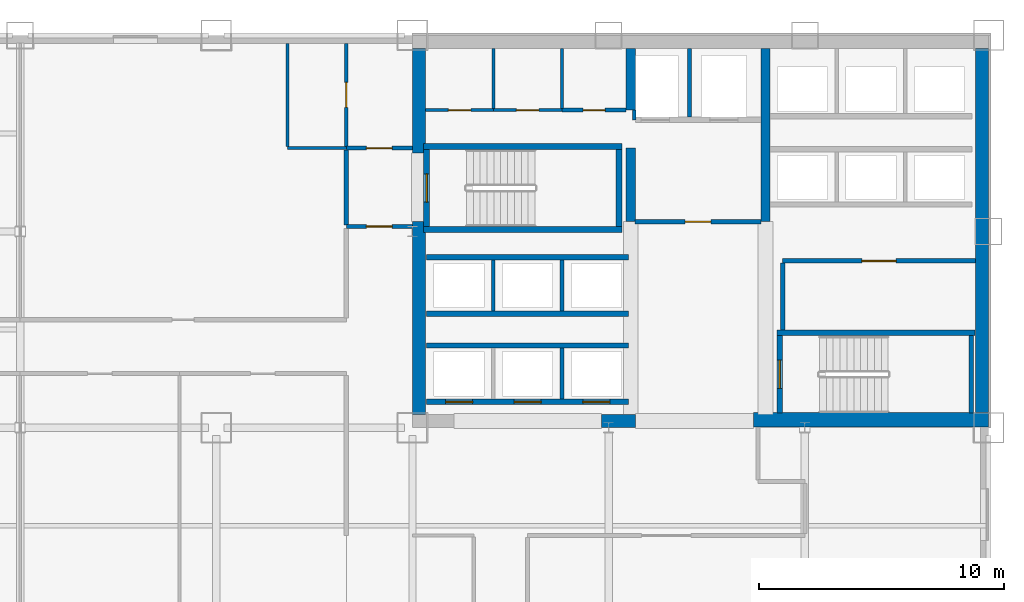
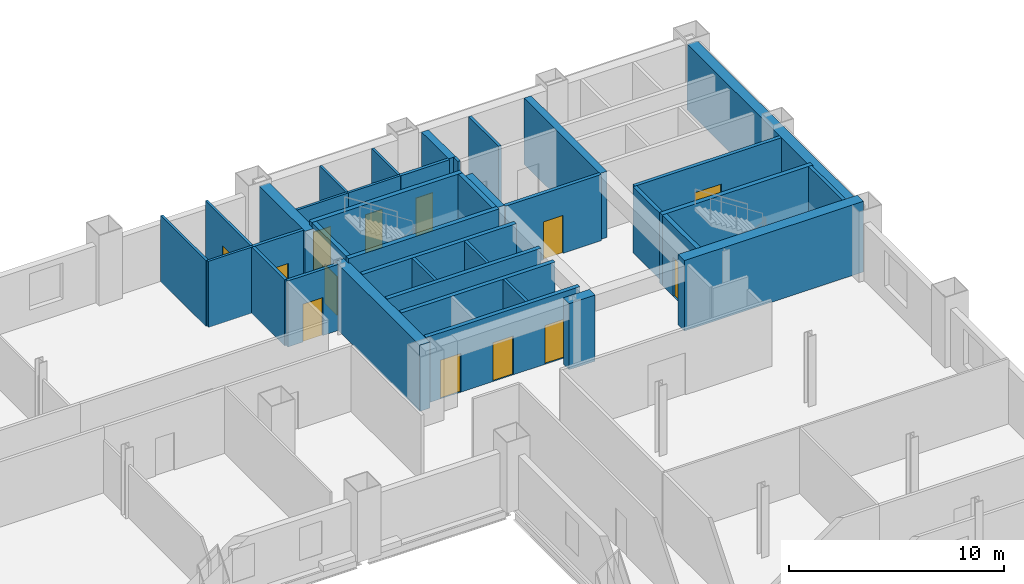
# One storey, part 6 of 9: 38 walls, 13 doors, 13 openings.
"""IFC4 building model written with IfcOpenShell, lengths in metres."""

from ifc_helpers import new_model, si_unit, direction, frame, frame_2d, origin, place, context, subcontext, project, spatial, rectangle, extrude, material, layer, layer_set, type_object, element, fill, save


model = new_model("IFC4")

# Units and contexts
model_context = context("Model", 3, precision=1e-05, world=origin(), true_north=direction((0.0, 1.0)))
body_context = subcontext(model_context, "Body", "Model", "MODEL_VIEW")
ifc_project = project(units=[si_unit("LENGTHUNIT", "METRE"), si_unit("AREAUNIT", "SQUARE_METRE"), si_unit("VOLUMEUNIT", "CUBIC_METRE"), si_unit("PLANEANGLEUNIT", "RADIAN"), si_unit("MASSUNIT", "GRAM", prefix="KILO")], contexts=[model_context])

# Site, building, storey
site_placement = place(None, origin())
site = spatial("IfcSite", under=ifc_project, at=site_placement, CompositionType="ELEMENT")
building_placement = place(site_placement, origin())
building = spatial("IfcBuilding", under=site, at=building_placement, Name="Qianrong Seaharbour Tower", CompositionType="ELEMENT")
storey_placement = place(building_placement, frame((0.0, 0.0, 56.199951171875)))
storey = spatial("IfcBuildingStorey", under=building, at=storey_placement, Name="L13", CompositionType="ELEMENT", Elevation=56.199951171875)

# Walls
ifc_material_1 = material(Name="Concrete C70/85", Category="concrete")
ifc_layer_1 = layer(ifc_material_1, 0.5400390625)
ifc_layer_set_1 = layer_set([ifc_layer_1], Name="Concrete C70/85")
wall_type_1 = type_object("IfcWallType", Name="WALL-CORE-540", PredefinedType="SHEAR", material=ifc_layer_set_1)
wall_1_placement = place(storey_placement, frame((63.72998046875, 36.320068359375, 0.0), z_axis=(0.0, 0.0, 1.0), x_axis=(0.0, 1.0, 0.0)))
element("IfcWall", 1, at=wall_1_placement, inside=storey, type_object=wall_type_1, Name="L13 East Core Shear Wall", PredefinedType="SHEAR", context=body_context, shape_type="SweptSolid", body=[
    extrude(rectangle(XDim=15.139892578125, YDim=0.5400390625, at=frame_2d((7.56982421875, 0.0))), origin(), (0.0, 0.0, 1.0), 3.75),
])
wall_2_placement = place(storey_placement, frame((40.77001953125, 36.5400390625, 0.0), z_axis=(0.0, 0.0, 1.0), x_axis=(0.0, 1.0, 0.0)))
element("IfcWall", 2, at=wall_2_placement, inside=storey, type_object=wall_type_1, Name="L13 West Core Shear Wall South", PredefinedType="SHEAR", context=body_context, shape_type="SweptSolid", body=[
    extrude(rectangle(XDim=7.85986328125, YDim=0.5400390625, at=frame_2d((3.929931640625, 0.0))), origin(), (0.0, 0.0, 1.0), 3.75),
])
wall_3_placement = place(storey_placement, frame((40.77001953125, 47.199951171875, 0.0), z_axis=(0.0, 0.0, 1.0), x_axis=(0.0, 1.0, 0.0)))
element("IfcWall", 3, at=wall_3_placement, inside=storey, type_object=wall_type_1, Name="L13 West Core Shear Wall North", PredefinedType="SHEAR", context=body_context, shape_type="SweptSolid", body=[
    extrude(rectangle(XDim=4.260009765625, YDim=0.5400390625, at=frame_2d((2.1298828125, 0.0))), origin(), (0.0, 0.0, 1.0), 3.75),
])
wall_4_placement = place(storey_placement, frame((48.199951171875, 36.27001953125, 0.0), z_axis=(0.0, 0.0, 1.0), x_axis=(1.0, 0.0, 0.0)))
element("IfcWall", 4, at=wall_4_placement, inside=storey, type_object=wall_type_1, Name="L13 South Core Shear Wall S2", PredefinedType="SHEAR", context=body_context, shape_type="SweptSolid", body=[
    extrude(rectangle(XDim=1.400146484375, YDim=0.5400390625, at=frame_2d((0.7001953125, 0.0))), origin(), (0.0, 0.0, 1.0), 3.75),
])
ifc_layer_2 = layer(ifc_material_1, 0.580078125)
ifc_layer_set_2 = layer_set([ifc_layer_2], Name="Concrete C70/85")
wall_type_2 = type_object("IfcWallType", Name="WALL-CORE-580", PredefinedType="SHEAR", material=ifc_layer_set_2)
wall_5_placement = place(storey_placement, frame((54.39990234375, 36.320068359375, 0.0), z_axis=(0.0, 0.0, 1.0), x_axis=(1.0, 0.0, 0.0)))
element("IfcWall", 5, at=wall_5_placement, inside=storey, type_object=wall_type_2, Name="L13 South Core Shear Wall S3", PredefinedType="SHEAR", context=body_context, shape_type="SweptSolid", body=[
    extrude(rectangle(XDim=9.60009765625, YDim=0.580078125, at=frame_2d((4.800048828125, 0.0))), origin(), (0.0, 0.0, 1.0), 4.0),
])
ifc_material_2 = material(Name="Concrete C60/75", Category="concrete")
ifc_layer_3 = layer(ifc_material_2, 0.3798828125)
ifc_layer_set_3 = layer_set([ifc_layer_3], Name="Concrete C60/75")
wall_type_3 = type_object("IfcWallType", Name="WALL-CORE-INT-380", PredefinedType="SHEAR", material=ifc_layer_set_3)
wall_6_placement = place(storey_placement, frame((49.39990234375, 44.39990234375, 0.0), z_axis=(0.0, 0.0, 1.0), x_axis=(0.0, 1.0, 0.0)))
element("IfcWall", 6, at=wall_6_placement, inside=storey, type_object=wall_type_3, Name="L13 Internal Core Shear Wall IW1N1", PredefinedType="SHEAR", context=body_context, shape_type="SweptSolid", body=[
    extrude(rectangle(XDim=3.0, YDim=0.3798828125, at=frame_2d((1.5, 0.0))), origin(), (0.0, 0.0, 1.0), 3.75),
])
wall_7_placement = place(storey_placement, frame((49.39990234375, 48.949951171875, 0.0), z_axis=(0.0, 0.0, 1.0), x_axis=(0.0, 1.0, 0.0)))
element("IfcWall", 7, at=wall_7_placement, inside=storey, type_object=wall_type_3, Name="L13 Internal Core Shear Wall IW1N2", PredefinedType="SHEAR", context=body_context, shape_type="SweptSolid", body=[
    extrude(rectangle(XDim=2.510009765625, YDim=0.3798828125, at=frame_2d((1.2548828125, 0.0))), origin(), (0.0, 0.0, 1.0), 3.75),
])
wall_8_placement = place(storey_placement, frame((54.89990234375, 44.39990234375, 0.0), z_axis=(0.0, 0.0, 1.0), x_axis=(0.0, 1.0, 0.0)))
element("IfcWall", 8, at=wall_8_placement, inside=storey, type_object=wall_type_3, Name="L13 Internal Core Shear Wall IW2N", PredefinedType="SHEAR", context=body_context, shape_type="SweptSolid", body=[
    extrude(rectangle(XDim=7.06005859375, YDim=0.3798828125, at=frame_2d((3.530029296875, 0.0))), origin(), (0.0, 0.0, 1.0), 3.75),
])

# Wall, opening, door
ifc_material_3 = material(Name="Fire-rated acoustic gypsum board partition")
ifc_layer_4 = layer(ifc_material_3, 0.1650390625)
ifc_layer_set_4 = layer_set([ifc_layer_4], Name="Fire-rated acoustic gypsum board partition")
wall_type_4 = type_object("IfcWallType", Name="WALL-CORR-PART-165", PredefinedType="PARTITIONING", material=ifc_layer_set_4)
wall_9_placement = place(storey_placement, frame((37.800048828125, 47.39990234375, 0.0), z_axis=(0.0, 0.0, 1.0), x_axis=(1.0, 0.0, 0.0)))
wall_9 = element("IfcWall", 9, at=wall_9_placement, inside=storey, type_object=wall_type_4, Name="L13 Interior Partition Wall 001", PredefinedType="PARTITIONING", context=body_context, shape_type="SweptSolid", body=[
    extrude(rectangle(XDim=2.699951171875, YDim=0.1650390625, at=frame_2d((1.35009765625, 0.0))), origin(), (0.0, 0.0, 1.0), 3.75),
])
opening_1_placement = place(wall_9_placement, frame((0.824951171875, 0.0, 0.0)))
opening_1 = element("IfcOpeningElement", 10, at=opening_1_placement, cuts=wall_9, Name="Opening DC-01", PredefinedType="OPENING", context=body_context, shape_type="SweptSolid", body=[
    extrude(rectangle(XDim=1.050048828125, YDim=2.14990234375, at=frame_2d((0.52490234375, 1.074951171875))), frame((0.0, 0.092529296875, 0.0), z_axis=(0.0, -1.0, 0.0), x_axis=(1.0, 0.0, 0.0)), (0.0, 0.0, 1.0), 0.18505859375),
])
ifc_material_4 = material(Name="Acoustic timber and galvanized steel fire door assembly", Category="steel")
door_type_1 = type_object("IfcDoorType", Name="DOOR-CORR-FD60-1050x2150", OperationType="NOTDEFINED", PredefinedType="DOOR", material=ifc_material_4)
door_1_placement = place(opening_1_placement, origin())
door_1 = element("IfcDoor", 11, at=door_1_placement, inside=storey, type_object=door_type_1, Name="L13 Smokeproof Stair Vestibule ST-1 Door", OperationType="SINGLE_SWING_LEFT", OverallHeight=2.14990234375, OverallWidth=1.050048828125, PredefinedType="DOOR", context=body_context, shape_type="SweptSolid", body=[
    extrude(rectangle(XDim=1.050048828125, YDim=2.14990234375, at=frame_2d((0.52490234375, 1.074951171875))), frame((0.0, 0.02490234375, 0.0), z_axis=(0.0, -1.0, 0.0), x_axis=(1.0, 0.0, 0.0)), (0.0, 0.0, 1.0), 0.050048828125),
])
fill(opening_1, door_1)

wall_10_placement = place(storey_placement, frame((40.5, 44.199951171875, 0.0), z_axis=(0.0, 0.0, 1.0), x_axis=(-1.0, 0.0, 0.0)))
wall_10 = element("IfcWall", 12, at=wall_10_placement, inside=storey, type_object=wall_type_4, Name="L13 Interior Partition Wall 002", PredefinedType="PARTITIONING", context=body_context, shape_type="SweptSolid", body=[
    extrude(rectangle(XDim=2.699951171875, YDim=0.1650390625, at=frame_2d((1.35009765625, 0.0))), origin(), (0.0, 0.0, 1.0), 3.75),
])
opening_2_placement = place(wall_10_placement, frame((0.824951171875, 0.0, 0.0)))
opening_2 = element("IfcOpeningElement", 13, at=opening_2_placement, cuts=wall_10, Name="Opening DC-01", PredefinedType="OPENING", context=body_context, shape_type="SweptSolid", body=[
    extrude(rectangle(XDim=1.050048828125, YDim=2.14990234375, at=frame_2d((0.52490234375, 1.074951171875))), frame((0.0, 0.092529296875, 0.0), z_axis=(0.0, -1.0, 0.0), x_axis=(1.0, 0.0, 0.0)), (0.0, 0.0, 1.0), 0.18505859375),
])
door_2_placement = place(opening_2_placement, origin())
door_2 = element("IfcDoor", 14, at=door_2_placement, inside=storey, type_object=door_type_1, Name="L13 Smokeproof Stair Vestibule ST-1 Door", OperationType="SINGLE_SWING_RIGHT", OverallHeight=2.14990234375, OverallWidth=1.050048828125, PredefinedType="DOOR", context=body_context, shape_type="SweptSolid", body=[
    extrude(rectangle(XDim=1.050048828125, YDim=2.14990234375, at=frame_2d((0.52490234375, 1.074951171875))), frame((0.0, 0.02490234375, 0.0), z_axis=(0.0, -1.0, 0.0), x_axis=(1.0, 0.0, 0.0)), (0.0, 0.0, 1.0), 0.050048828125),
])
fill(opening_2, door_2)

# Wall
wall_11_placement = place(storey_placement, frame((37.800048828125, 44.2744140625, 0.0), z_axis=(0.0, 0.0, 1.0), x_axis=(0.0, 1.0, 0.0)))
element("IfcWall", 15, at=wall_11_placement, inside=storey, type_object=wall_type_4, Name="L13 Interior Partition Wall 003", PredefinedType="PARTITIONING", context=body_context, shape_type="SweptSolid", body=[
    extrude(rectangle(XDim=3.051025390625, YDim=0.1650390625, at=frame_2d((1.525390625, 0.0))), origin(), (0.0, 0.0, 1.0), 3.75),
])

# Wall, opening, door
wall_12_placement = place(storey_placement, frame((46.60009765625, 48.949951171875, 0.0), z_axis=(0.0, 0.0, 1.0), x_axis=(1.0, 0.0, 0.0)))
wall_12 = element("IfcWall", 16, at=wall_12_placement, inside=storey, type_object=wall_type_4, Name="L13 Interior Partition Wall 009", PredefinedType="PARTITIONING", context=body_context, shape_type="SweptSolid", body=[
    extrude(rectangle(XDim=2.617919921875, YDim=0.1650390625, at=frame_2d((1.30908203125, 0.0))), origin(), (0.0, 0.0, 1.0), 3.75),
])
opening_3_placement = place(wall_12_placement, frame((0.85888671875, 0.0, 0.0)))
opening_3 = element("IfcOpeningElement", 17, at=opening_3_placement, cuts=wall_12, Name="Opening DS-01", PredefinedType="OPENING", context=body_context, shape_type="SweptSolid", body=[
    extrude(rectangle(XDim=0.89990234375, YDim=2.14990234375, at=frame_2d((0.449951171875, 1.074951171875))), frame((0.0, 0.092529296875, 0.0), z_axis=(0.0, -1.0, 0.0), x_axis=(1.0, 0.0, 0.0)), (0.0, 0.0, 1.0), 0.18505859375),
])
door_type_2 = type_object("IfcDoorType", Name="DOOR-STORE-900x2150", OperationType="NOTDEFINED", PredefinedType="DOOR", material=ifc_material_4)
door_3_placement = place(opening_3_placement, origin())
door_3 = element("IfcDoor", 18, at=door_3_placement, inside=storey, type_object=door_type_2, Name="L13 Cleaner Store Room Door", OperationType="SINGLE_SWING_LEFT", OverallHeight=2.14990234375, OverallWidth=0.89990234375, PredefinedType="DOOR", context=body_context, shape_type="SweptSolid", body=[
    extrude(rectangle(XDim=0.89990234375, YDim=2.14990234375, at=frame_2d((0.449951171875, 1.074951171875))), frame((0.0, 0.02490234375, 0.0), z_axis=(0.0, -1.0, 0.0), x_axis=(1.0, 0.0, 0.0)), (0.0, 0.0, 1.0), 0.050048828125),
])
fill(opening_3, door_3)

ifc_material_5 = material(Name="Double fire-rated gypsum board acoustic partition")
ifc_layer_5 = layer(ifc_material_5, 0.18994140625)
ifc_layer_set_5 = layer_set([ifc_layer_5], Name="Double fire-rated gypsum board acoustic partition")
wall_type_5 = type_object("IfcWallType", Name="WALL-FIRE-PART-190", PredefinedType="PARTITIONING", material=ifc_layer_set_5)
wall_13_placement = place(storey_placement, frame((54.718017578125, 44.39990234375, 0.0), z_axis=(0.0, 0.0, 1.0), x_axis=(-1.0, 0.0, 0.0)))
wall_13 = element("IfcWall", 19, at=wall_13_placement, inside=storey, type_object=wall_type_5, Name="L13 Interior Partition Wall 010", PredefinedType="PARTITIONING", context=body_context, shape_type="SweptSolid", body=[
    extrude(rectangle(XDim=5.135986328125, YDim=0.18994140625, at=frame_2d((2.56787109375, 0.0))), origin(), (0.0, 0.0, 1.0), 3.75),
])
opening_4_placement = place(wall_13_placement, frame((2.04296875, 0.0, 0.0)))
opening_4 = element("IfcOpeningElement", 20, at=opening_4_placement, cuts=wall_13, Name="Opening DC-01", PredefinedType="OPENING", context=body_context, shape_type="SweptSolid", body=[
    extrude(rectangle(XDim=1.050048828125, YDim=2.14990234375, at=frame_2d((0.52490234375, 1.074951171875))), frame((0.0, 0.10498046875, 0.0), z_axis=(0.0, -1.0, 0.0), x_axis=(1.0, 0.0, 0.0)), (0.0, 0.0, 1.0), 0.2099609375),
])
door_4_placement = place(opening_4_placement, origin())
door_4 = element("IfcDoor", 21, at=door_4_placement, inside=storey, type_object=door_type_1, Name="L13 Firefighting Lift Lobby Door", OperationType="SINGLE_SWING_RIGHT", OverallHeight=2.14990234375, OverallWidth=1.050048828125, PredefinedType="DOOR", context=body_context, shape_type="SweptSolid", body=[
    extrude(rectangle(XDim=1.050048828125, YDim=2.14990234375, at=frame_2d((0.52490234375, 1.074951171875))), frame((0.0, 0.02490234375, 0.0), z_axis=(0.0, -1.0, 0.0), x_axis=(1.0, 0.0, 0.0)), (0.0, 0.0, 1.0), 0.050048828125),
])
fill(opening_4, door_4)

# Wall
wall_14_placement = place(storey_placement, frame((55.60009765625, 42.712890625, 0.0), z_axis=(0.0, 0.0, 1.0), x_axis=(0.0, -1.0, 0.0)))
element("IfcWall", 22, at=wall_14_placement, inside=storey, type_object=wall_type_5, Name="L13 Interior Partition Wall 011", PredefinedType="PARTITIONING", context=body_context, shape_type="SweptSolid", body=[
    extrude(rectangle(XDim=2.73095703125, YDim=0.18994140625, at=frame_2d((1.365478515625, 0.0))), origin(), (0.0, 0.0, 1.0), 3.75),
])

# Wall, opening, door
wall_15_placement = place(storey_placement, frame((63.4599609375, 42.800048828125, 0.0), z_axis=(0.0, 0.0, 1.0), x_axis=(-1.0, 0.0, 0.0)))
wall_15 = element("IfcWall", 23, at=wall_15_placement, inside=storey, type_object=wall_type_5, Name="L13 Interior Partition Wall 012", PredefinedType="PARTITIONING", context=body_context, shape_type="SweptSolid", body=[
    extrude(rectangle(XDim=7.85986328125, YDim=0.18994140625, at=frame_2d((3.929931640625, 0.0))), origin(), (0.0, 0.0, 1.0), 3.75),
])
opening_5_placement = place(wall_15_placement, frame((3.22998046875, 0.0, 0.0)))
opening_5 = element("IfcOpeningElement", 24, at=opening_5_placement, cuts=wall_15, Name="Opening DP-01", PredefinedType="OPENING", context=body_context, shape_type="SweptSolid", body=[
    extrude(rectangle(XDim=1.39990234375, YDim=2.25, at=frame_2d((0.699951171875, 1.125))), frame((0.0, 0.10498046875, 0.0), z_axis=(0.0, -1.0, 0.0), x_axis=(1.0, 0.0, 0.0)), (0.0, 0.0, 1.0), 0.2099609375),
])
door_type_3 = type_object("IfcDoorType", Name="DOOR-PLANT-PAIR-1400x2250", OperationType="DOUBLE_DOOR_SINGLE_SWING", PredefinedType="DOOR", material=ifc_material_4)
door_5_placement = place(opening_5_placement, origin())
door_5 = element("IfcDoor", 25, at=door_5_placement, inside=storey, type_object=door_type_3, Name="L13 Core Telecom Hub Room Door", OperationType="DOUBLE_DOOR_SINGLE_SWING", OverallHeight=2.25, OverallWidth=1.39990234375, PredefinedType="DOOR", context=body_context, shape_type="SweptSolid", body=[
    extrude(rectangle(XDim=1.39990234375, YDim=2.25, at=frame_2d((0.699951171875, 1.125))), frame((0.0, 0.02490234375, 0.0), z_axis=(0.0, -1.0, 0.0), x_axis=(1.0, 0.0, 0.0)), (0.0, 0.0, 1.0), 0.050048828125),
])
fill(opening_5, door_5)

# Walls
ifc_material_6 = material(Name="Fire-rated gypsum board on steel studs", Category="steel")
ifc_layer_6 = layer(ifc_material_6, 0.14990234375)
ifc_layer_set_6 = layer_set([ifc_layer_6], Name="Fire-rated gypsum board on steel studs")
wall_type_6 = type_object("IfcWallType", Name="WALL-SHAFT-DIV-150", PredefinedType="PARTITIONING", material=ifc_layer_set_6)
wall_16_placement = place(storey_placement, frame((51.800048828125, 48.669921875, 0.0), z_axis=(0.0, 0.0, 1.0), x_axis=(0.0, 1.0, 0.0)))
element("IfcWall", 26, at=wall_16_placement, inside=storey, type_object=wall_type_6, Name="L13 Firefighting Lift Shaft Divider Wall", PredefinedType="PARTITIONING", context=body_context, shape_type="SweptSolid", body=[
    extrude(rectangle(XDim=2.7900390625, YDim=0.14990234375, at=frame_2d((1.39501953125, 0.0))), origin(), (0.0, 0.0, 1.0), 3.75),
])
wall_17_placement = place(storey_placement, frame((49.550048828125, 48.550048828125, 0.0), z_axis=(0.0, 0.0, 1.0), x_axis=(0.0, 1.0, 0.0)))
element("IfcWall", 27, at=wall_17_placement, inside=storey, type_object=wall_type_6, Name="L13 Firefighting Lift Shaft West Return Wall", PredefinedType="PARTITIONING", context=body_context, shape_type="SweptSolid", body=[
    extrude(rectangle(XDim=0.39990234375, YDim=0.14990234375, at=frame_2d((0.199951171875, 0.0))), origin(), (0.0, 0.0, 1.0), 3.75),
])
for number, where, z_axis, x_axis, name in (
    (28, (46.60009765625, 37.159912109375, 0.0), (0.0, 0.0, 1.0), (0.0, 1.0, 0.0), "L13 P1 Lift Hoistway Divider 3"),
    (29, (43.800048828125, 40.760009765625, 0.0), (0.0, 0.0, 1.0), (0.0, 1.0, 0.0), "L13 P2 Lift Hoistway Divider 2"),
    (30, (46.60009765625, 40.760009765625, 0.0), (0.0, 0.0, 1.0), (0.0, 1.0, 0.0), "L13 P2 Lift Hoistway Divider 3"),
):
    element("IfcWall", number, at=place(storey_placement, frame(where, z_axis=z_axis, x_axis=x_axis)), inside=storey, type_object=wall_type_6, Name=name, PredefinedType="PARTITIONING", context=body_context, shape_type="SweptSolid", body=[
        extrude(rectangle(XDim=2.080078125, YDim=0.14990234375, at=frame_2d((1.0400390625, 0.0))), origin(), (0.0, 0.0, 1.0), 3.75),
    ])

# Wall, openings, doors
ifc_layer_7 = layer(ifc_material_6, 0.219970703125)
ifc_layer_set_7 = layer_set([ifc_layer_7], Name="Fire-rated gypsum board on steel studs")
wall_type_7 = type_object("IfcWallType", Name="WALL-SHAFT-GYP220", PredefinedType="PARTITIONING", material=ifc_layer_set_7)
wall_18_placement = place(storey_placement, frame((49.320068359375, 37.050048828125, 0.0), z_axis=(0.0, 0.0, 1.0), x_axis=(-1.0, 0.0, 0.0)))
wall_18 = element("IfcWall", 31, at=wall_18_placement, inside=storey, type_object=wall_type_7, Name="L13 P1 Lift Hoistway Front Wall", PredefinedType="PARTITIONING", context=body_context, shape_type="SweptSolid", body=[
    extrude(rectangle(XDim=8.239990234375, YDim=0.219970703125, at=frame_2d((4.1201171875, 0.0))), origin(), (0.0, 0.0, 1.0), 3.75),
])
opening_6_placement = place(wall_18_placement, frame((6.3701171875, 0.0, 0.0)))
opening_6 = element("IfcOpeningElement", 32, at=opening_6_placement, cuts=wall_18, Name="Opening LD-02", PredefinedType="OPENING", context=body_context, shape_type="SweptSolid", body=[
    extrude(rectangle(XDim=1.10009765625, YDim=2.199951171875, at=frame_2d((0.550048828125, 1.10009765625))), frame((0.0, 0.1201171875, 0.0), z_axis=(0.0, -1.0, 0.0), x_axis=(1.0, 0.0, 0.0)), (0.0, 0.0, 1.0), 0.239990234375),
])
opening_7_placement = place(wall_18_placement, frame((3.570068359375, 0.0, 0.0)))
opening_7 = element("IfcOpeningElement", 33, at=opening_7_placement, cuts=wall_18, Name="Opening LD-02", PredefinedType="OPENING", context=body_context, shape_type="SweptSolid", body=[
    extrude(rectangle(XDim=1.10009765625, YDim=2.199951171875, at=frame_2d((0.550048828125, 1.10009765625))), frame((0.0, 0.1201171875, 0.0), z_axis=(0.0, -1.0, 0.0), x_axis=(1.0, 0.0, 0.0)), (0.0, 0.0, 1.0), 0.239990234375),
])
opening_8_placement = place(wall_18_placement, frame((0.77001953125, 0.0, 0.0)))
opening_8 = element("IfcOpeningElement", 34, at=opening_8_placement, cuts=wall_18, Name="Opening LD-02", PredefinedType="OPENING", context=body_context, shape_type="SweptSolid", body=[
    extrude(rectangle(XDim=1.10009765625, YDim=2.199951171875, at=frame_2d((0.550048828125, 1.10009765625))), frame((0.0, 0.1201171875, 0.0), z_axis=(0.0, -1.0, 0.0), x_axis=(1.0, 0.0, 0.0)), (0.0, 0.0, 1.0), 0.239990234375),
])
ifc_material_7 = material(Name="Stainless steel SUS316L bi-parting lift landing door", Category="steel")
door_type_4 = type_object("IfcDoorType", Name="DOOR-LIFT-PASS-1100x2200", OperationType="DOUBLE_DOOR_SLIDING", PredefinedType="DOOR", material=ifc_material_7)
door_6_placement = place(opening_6_placement, origin())
door_6 = element("IfcDoor", 35, at=door_6_placement, inside=storey, type_object=door_type_4, Name="L13 PL-1A Lift Landing Door", OperationType="DOUBLE_DOOR_SLIDING", OverallHeight=2.199951171875, OverallWidth=1.10009765625, PredefinedType="DOOR", context=body_context, shape_type="SweptSolid", body=[
    extrude(rectangle(XDim=1.10009765625, YDim=2.199951171875, at=frame_2d((0.550048828125, 1.10009765625))), frame((0.0, 0.02490234375, 0.0), z_axis=(0.0, -1.0, 0.0), x_axis=(1.0, 0.0, 0.0)), (0.0, 0.0, 1.0), 0.050048828125),
])
fill(opening_6, door_6)
door_7_placement = place(opening_7_placement, origin())
door_7 = element("IfcDoor", 36, at=door_7_placement, inside=storey, type_object=door_type_4, Name="L13 PL-1B Lift Landing Door", OperationType="DOUBLE_DOOR_SLIDING", OverallHeight=2.199951171875, OverallWidth=1.10009765625, PredefinedType="DOOR", context=body_context, shape_type="SweptSolid", body=[
    extrude(rectangle(XDim=1.10009765625, YDim=2.199951171875, at=frame_2d((0.550048828125, 1.10009765625))), frame((0.0, 0.02490234375, 0.0), z_axis=(0.0, -1.0, 0.0), x_axis=(1.0, 0.0, 0.0)), (0.0, 0.0, 1.0), 0.050048828125),
])
fill(opening_7, door_7)
door_8_placement = place(opening_8_placement, origin())
door_8 = element("IfcDoor", 37, at=door_8_placement, inside=storey, type_object=door_type_4, Name="L13 PL-1C Lift Landing Door", OperationType="DOUBLE_DOOR_SLIDING", OverallHeight=2.199951171875, OverallWidth=1.10009765625, PredefinedType="DOOR", context=body_context, shape_type="SweptSolid", body=[
    extrude(rectangle(XDim=1.10009765625, YDim=2.199951171875, at=frame_2d((0.550048828125, 1.10009765625))), frame((0.0, 0.02490234375, 0.0), z_axis=(0.0, -1.0, 0.0), x_axis=(1.0, 0.0, 0.0)), (0.0, 0.0, 1.0), 0.050048828125),
])
fill(opening_8, door_8)

# Walls
for number, where, z_axis, x_axis, name in (
    (38, (41.080078125, 39.35009765625, 0.0), (0.0, 0.0, 1.0), (1.0, 0.0, 0.0), "L13 P1 Lift Hoistway Back Wall"),
    (39, (49.320068359375, 40.64990234375, 0.0), (0.0, 0.0, 1.0), (-1.0, 0.0, 0.0), "L13 P2 Lift Hoistway Front Wall"),
    (40, (41.080078125, 42.949951171875, 0.0), (0.0, 0.0, 1.0), (1.0, 0.0, 0.0), "L13 P2 Lift Hoistway Back Wall"),
):
    element("IfcWall", number, at=place(storey_placement, frame(where, z_axis=z_axis, x_axis=x_axis)), inside=storey, type_object=wall_type_7, Name=name, PredefinedType="PARTITIONING", context=body_context, shape_type="SweptSolid", body=[
        extrude(rectangle(XDim=8.239990234375, YDim=0.219970703125, at=frame_2d((4.1201171875, 0.0))), origin(), (0.0, 0.0, 1.0), 3.75),
    ])
ifc_material_8 = material(Name="Concrete C50/60", Category="concrete")
ifc_layer_8 = layer(ifc_material_8, 0.239990234375)
ifc_layer_set_8 = layer_set([ifc_layer_8], Name="Concrete C50/60")
wall_type_8 = type_object("IfcWallType", Name="WALL-SHAFT-RC240", PredefinedType="SOLIDWALL", material=ifc_layer_set_8)
for number, where, z_axis, x_axis, name in (
    (41, (40.9599609375, 47.469970703125, 0.0), (0.0, 0.0, 1.0), (1.0, 0.0, 0.0), "L13 ST-1 Structural Stair Core Wall N"),
    (42, (49.0400390625, 44.080078125, 0.0), (0.0, 0.0, 1.0), (-1.0, 0.0, 0.0), "L13 ST-1 Structural Stair Core Wall S"),
):
    element("IfcWall", number, at=place(storey_placement, frame(where, z_axis=z_axis, x_axis=x_axis)), inside=storey, type_object=wall_type_8, Name=name, PredefinedType="SOLIDWALL", context=body_context, shape_type="SweptSolid", body=[
        extrude(rectangle(XDim=8.080078125, YDim=0.239990234375, at=frame_2d((4.0400390625, 0.0))), origin(), (0.0, 0.0, 1.0), 4.0),
    ])

# Wall, opening, door
wall_19_placement = place(storey_placement, frame((41.080078125, 47.35009765625, 0.0), z_axis=(0.0, 0.0, 1.0), x_axis=(0.0, -1.0, 0.0)))
wall_19 = element("IfcWall", 43, at=wall_19_placement, inside=storey, type_object=wall_type_8, Name="L13 ST-1 Structural Stair Core Wall W", PredefinedType="SOLIDWALL", context=body_context, shape_type="SweptSolid", body=[
    extrude(rectangle(XDim=3.150146484375, YDim=0.239990234375, at=frame_2d((1.5751953125, 0.0))), origin(), (0.0, 0.0, 1.0), 4.0),
])
opening_9_placement = place(wall_19_placement, frame((1.0, 0.0, 0.0)))
opening_9 = element("IfcOpeningElement", 44, at=opening_9_placement, cuts=wall_19, Name="Opening SD-01", PredefinedType="OPENING", context=body_context, shape_type="SweptSolid", body=[
    extrude(rectangle(XDim=1.14990234375, YDim=2.199951171875, at=frame_2d((0.574951171875, 1.10009765625))), frame((0.0, 0.1298828125, 0.0), z_axis=(0.0, -1.0, 0.0), x_axis=(1.0, 0.0, 0.0)), (0.0, 0.0, 1.0), 0.260009765625),
])
door_type_5 = type_object("IfcDoorType", Name="DOOR-STAIR-FD60-1150x2200", OperationType="NOTDEFINED", PredefinedType="DOOR", material=ifc_material_4)
door_9_placement = place(opening_9_placement, origin())
door_9 = element("IfcDoor", 45, at=door_9_placement, inside=storey, type_object=door_type_5, Name="L13 ST-1 Protected Stair Door", OperationType="SINGLE_SWING_RIGHT", OverallHeight=2.199951171875, OverallWidth=1.14990234375, PredefinedType="DOOR", context=body_context, shape_type="SweptSolid", body=[
    extrude(rectangle(XDim=1.14990234375, YDim=2.199951171875, at=frame_2d((0.574951171875, 1.10009765625))), frame((0.0, 0.02490234375, 0.0), z_axis=(0.0, -1.0, 0.0), x_axis=(1.0, 0.0, 0.0)), (0.0, 0.0, 1.0), 0.050048828125),
])
fill(opening_9, door_9)

# Walls
wall_20_placement = place(storey_placement, frame((48.919921875, 44.199951171875, 0.0), z_axis=(0.0, 0.0, 1.0), x_axis=(0.0, 1.0, 0.0)))
element("IfcWall", 46, at=wall_20_placement, inside=storey, type_object=wall_type_8, Name="L13 ST-1 Structural Stair Core Wall E", PredefinedType="SOLIDWALL", context=body_context, shape_type="SweptSolid", body=[
    extrude(rectangle(XDim=3.150146484375, YDim=0.239990234375, at=frame_2d((1.5751953125, 0.0))), origin(), (0.0, 0.0, 1.0), 4.0),
])
wall_21_placement = place(storey_placement, frame((55.360107421875, 39.8701171875, 0.0), z_axis=(0.0, 0.0, 1.0), x_axis=(1.0, 0.0, 0.0)))
element("IfcWall", 47, at=wall_21_placement, inside=storey, type_object=wall_type_8, Name="L13 ST-2 Structural Stair Core Wall N", PredefinedType="SOLIDWALL", context=body_context, shape_type="SweptSolid", body=[
    extrude(rectangle(XDim=8.079833984375, YDim=0.239990234375, at=frame_2d((4.0400390625, 0.0))), origin(), (0.0, 0.0, 1.0), 4.0),
])

# Wall, opening, door
wall_22_placement = place(storey_placement, frame((55.47998046875, 39.75, 0.0), z_axis=(0.0, 0.0, 1.0), x_axis=(0.0, -1.0, 0.0)))
wall_22 = element("IfcWall", 48, at=wall_22_placement, inside=storey, type_object=wall_type_8, Name="L13 ST-2 Structural Stair Core Wall W", PredefinedType="SOLIDWALL", context=body_context, shape_type="SweptSolid", body=[
    extrude(rectangle(XDim=3.14990234375, YDim=0.239990234375, at=frame_2d((1.574951171875, 0.0))), origin(), (0.0, 0.0, 1.0), 4.0),
])
opening_10_placement = place(wall_22_placement, frame((1.0, 0.0, 0.0)))
opening_10 = element("IfcOpeningElement", 49, at=opening_10_placement, cuts=wall_22, Name="Opening SD-01", PredefinedType="OPENING", context=body_context, shape_type="SweptSolid", body=[
    extrude(rectangle(XDim=1.14990234375, YDim=2.199951171875, at=frame_2d((0.574951171875, 1.10009765625))), frame((0.0, 0.1298828125, 0.0), z_axis=(0.0, -1.0, 0.0), x_axis=(1.0, 0.0, 0.0)), (0.0, 0.0, 1.0), 0.260009765625),
])
door_10_placement = place(opening_10_placement, origin())
door_10 = element("IfcDoor", 50, at=door_10_placement, inside=storey, type_object=door_type_5, Name="L13 ST-2 Protected Stair Door", OperationType="SINGLE_SWING_RIGHT", OverallHeight=2.199951171875, OverallWidth=1.14990234375, PredefinedType="DOOR", context=body_context, shape_type="SweptSolid", body=[
    extrude(rectangle(XDim=1.14990234375, YDim=2.199951171875, at=frame_2d((0.574951171875, 1.10009765625))), frame((0.0, 0.02490234375, 0.0), z_axis=(0.0, -1.0, 0.0), x_axis=(1.0, 0.0, 0.0)), (0.0, 0.0, 1.0), 0.050048828125),
])
fill(opening_10, door_10)

# Wall
wall_23_placement = place(storey_placement, frame((63.2900390625, 36.60009765625, 0.0), z_axis=(0.0, 0.0, 1.0), x_axis=(0.0, 1.0, 0.0)))
element("IfcWall", 51, at=wall_23_placement, inside=storey, type_object=wall_type_8, Name="L13 ST-2 Structural Stair Core Wall E", PredefinedType="SOLIDWALL", context=body_context, shape_type="SweptSolid", body=[
    extrude(rectangle(XDim=3.14990234375, YDim=0.179931640625, at=frame_2d((1.574951171875, 0.0))), origin(), (0.0, 0.0, 1.0), 4.0),
])

# Wall, opening, door
ifc_material_9 = material(Name="Water-resistant cement board sanitary partition")
ifc_layer_9 = layer(ifc_material_9, 0.1298828125)
ifc_layer_set_9 = layer_set([ifc_layer_9], Name="Water-resistant cement board sanitary partition")
wall_type_9 = type_object("IfcWallType", Name="WALL-WET-PART-130", PredefinedType="PARTITIONING", material=ifc_layer_set_9)
wall_24_placement = place(storey_placement, frame((37.800048828125, 47.474609375, 0.0), z_axis=(0.0, 0.0, 1.0), x_axis=(0.0, 1.0, 0.0)))
wall_24 = element("IfcWall", 52, at=wall_24_placement, inside=storey, type_object=wall_type_9, Name="L13 Interior Partition Wall 004", PredefinedType="PARTITIONING", context=body_context, shape_type="SweptSolid", body=[
    extrude(rectangle(XDim=4.193359375, YDim=0.1298828125, at=frame_2d((2.0966796875, 0.0))), origin(), (0.0, 0.0, 1.0), 3.75),
])
opening_11_placement = place(wall_24_placement, frame((1.5869140625, 0.0, 0.0)))
opening_11 = element("IfcOpeningElement", 53, at=opening_11_placement, cuts=wall_24, Name="Opening DAW-01", PredefinedType="OPENING", context=body_context, shape_type="SweptSolid", body=[
    extrude(rectangle(XDim=1.02001953125, YDim=2.14990234375, at=frame_2d((0.510009765625, 1.074951171875))), frame((0.0, 0.074951171875, 0.0), z_axis=(0.0, -1.0, 0.0), x_axis=(1.0, 0.0, 0.0)), (0.0, 0.0, 1.0), 0.14990234375),
])
door_type_6 = type_object("IfcDoorType", Name="DOOR-AWC-SLIDE-1020x2150", OperationType="SLIDING_TO_LEFT", PredefinedType="DOOR", material=ifc_material_4)
door_11_placement = place(opening_11_placement, origin())
door_11 = element("IfcDoor", 54, at=door_11_placement, inside=storey, type_object=door_type_6, Name="L13 Accessible Restroom WC Door", OperationType="SLIDING_TO_LEFT", OverallHeight=2.14990234375, OverallWidth=1.02001953125, PredefinedType="DOOR", context=body_context, shape_type="SweptSolid", body=[
    extrude(rectangle(XDim=1.02001953125, YDim=2.14990234375, at=frame_2d((0.510009765625, 1.074951171875))), frame((0.0, 0.02490234375, 0.0), z_axis=(0.0, -1.0, 0.0), x_axis=(1.0, 0.0, 0.0)), (0.0, 0.0, 1.0), 0.050048828125),
])
fill(opening_11, door_11)

# Walls
wall_25_placement = place(storey_placement, frame((37.800048828125, 47.39990234375, 0.0), z_axis=(0.0, 0.0, 1.0), x_axis=(-1.0, 0.0, 0.0)))
element("IfcWall", 55, at=wall_25_placement, inside=storey, type_object=wall_type_9, Name="L13 Interior Partition Wall 005", PredefinedType="PARTITIONING", context=body_context, shape_type="SweptSolid", body=[
    extrude(rectangle(XDim=2.400146484375, YDim=0.1298828125, at=frame_2d((1.2001953125, 0.0))), origin(), (0.0, 0.0, 1.0), 3.75),
])
wall_26_placement = place(storey_placement, frame((35.39990234375, 47.45703125, 0.0), z_axis=(0.0, 0.0, 1.0), x_axis=(0.0, 1.0, 0.0)))
element("IfcWall", 56, at=wall_26_placement, inside=storey, type_object=wall_type_9, Name="L13 Interior Partition Wall 006", PredefinedType="PARTITIONING", context=body_context, shape_type="SweptSolid", body=[
    extrude(rectangle(XDim=4.2109375, YDim=0.1298828125, at=frame_2d((2.10546875, 0.0))), origin(), (0.0, 0.0, 1.0), 3.75),
])

# Wall, opening, door
wall_27_placement = place(storey_placement, frame((41.0400390625, 48.949951171875, 0.0), z_axis=(0.0, 0.0, 1.0), x_axis=(1.0, 0.0, 0.0)))
wall_27 = element("IfcWall", 57, at=wall_27_placement, inside=storey, type_object=wall_type_9, Name="L13 Interior Partition Wall 007", PredefinedType="PARTITIONING", context=body_context, shape_type="SweptSolid", body=[
    extrude(rectangle(XDim=2.760009765625, YDim=0.1298828125, at=frame_2d((1.3798828125, 0.0))), origin(), (0.0, 0.0, 1.0), 3.75),
])
opening_12_placement = place(wall_27_placement, frame((0.919921875, 0.0, 0.0)))
opening_12 = element("IfcOpeningElement", 58, at=opening_12_placement, cuts=wall_27, Name="Opening DW-01", PredefinedType="OPENING", context=body_context, shape_type="SweptSolid", body=[
    extrude(rectangle(XDim=0.919921875, YDim=2.14990234375, at=frame_2d((0.4599609375, 1.074951171875))), frame((0.0, 0.074951171875, 0.0), z_axis=(0.0, -1.0, 0.0), x_axis=(1.0, 0.0, 0.0)), (0.0, 0.0, 1.0), 0.14990234375),
])
door_type_7 = type_object("IfcDoorType", Name="DOOR-WC-920x2150", OperationType="NOTDEFINED", PredefinedType="DOOR", material=ifc_material_4)
door_12_placement = place(opening_12_placement, origin())
door_12 = element("IfcDoor", 59, at=door_12_placement, inside=storey, type_object=door_type_7, Name="L13 Male Restroom WC Door", OperationType="SINGLE_SWING_LEFT", OverallHeight=2.14990234375, OverallWidth=0.919921875, PredefinedType="DOOR", context=body_context, shape_type="SweptSolid", body=[
    extrude(rectangle(XDim=0.919921875, YDim=2.14990234375, at=frame_2d((0.4599609375, 1.074951171875))), frame((0.0, 0.02490234375, 0.0), z_axis=(0.0, -1.0, 0.0), x_axis=(1.0, 0.0, 0.0)), (0.0, 0.0, 1.0), 0.050048828125),
])
fill(opening_12, door_12)

wall_28_placement = place(storey_placement, frame((43.800048828125, 48.949951171875, 0.0), z_axis=(0.0, 0.0, 1.0), x_axis=(1.0, 0.0, 0.0)))
wall_28 = element("IfcWall", 60, at=wall_28_placement, inside=storey, type_object=wall_type_9, Name="L13 Interior Partition Wall 008", PredefinedType="PARTITIONING", context=body_context, shape_type="SweptSolid", body=[
    extrude(rectangle(XDim=2.800048828125, YDim=0.1298828125, at=frame_2d((1.39990234375, 0.0))), origin(), (0.0, 0.0, 1.0), 3.75),
])
opening_13_placement = place(wall_28_placement, frame((0.93994140625, 0.0, 0.0)))
opening_13 = element("IfcOpeningElement", 61, at=opening_13_placement, cuts=wall_28, Name="Opening DW-01", PredefinedType="OPENING", context=body_context, shape_type="SweptSolid", body=[
    extrude(rectangle(XDim=0.919921875, YDim=2.14990234375, at=frame_2d((0.4599609375, 1.074951171875))), frame((0.0, 0.074951171875, 0.0), z_axis=(0.0, -1.0, 0.0), x_axis=(1.0, 0.0, 0.0)), (0.0, 0.0, 1.0), 0.14990234375),
])
door_13_placement = place(opening_13_placement, origin())
door_13 = element("IfcDoor", 62, at=door_13_placement, inside=storey, type_object=door_type_7, Name="L13 Female Restroom WC Door", OperationType="SINGLE_SWING_RIGHT", OverallHeight=2.14990234375, OverallWidth=0.919921875, PredefinedType="DOOR", context=body_context, shape_type="SweptSolid", body=[
    extrude(rectangle(XDim=0.919921875, YDim=2.14990234375, at=frame_2d((0.4599609375, 1.074951171875))), frame((0.0, 0.02490234375, 0.0), z_axis=(0.0, -1.0, 0.0), x_axis=(1.0, 0.0, 0.0)), (0.0, 0.0, 1.0), 0.050048828125),
])
fill(opening_13, door_13)

# Walls
wall_29_placement = place(storey_placement, frame((43.800048828125, 51.4599609375, 0.0), z_axis=(0.0, 0.0, 1.0), x_axis=(0.0, -1.0, 0.0)))
element("IfcWall", 63, at=wall_29_placement, inside=storey, type_object=wall_type_9, Name="L13 Interior Partition Wall 013", PredefinedType="PARTITIONING", context=body_context, shape_type="SweptSolid", body=[
    extrude(rectangle(XDim=2.452880859375, YDim=0.1298828125, at=frame_2d((1.2265625, 0.0))), origin(), (0.0, 0.0, 1.0), 3.75),
])
wall_30_placement = place(storey_placement, frame((46.60009765625, 51.4599609375, 0.0), z_axis=(0.0, 0.0, 1.0), x_axis=(0.0, -1.0, 0.0)))
element("IfcWall", 64, at=wall_30_placement, inside=storey, type_object=wall_type_9, Name="L13 Interior Partition Wall 014", PredefinedType="PARTITIONING", context=body_context, shape_type="SweptSolid", body=[
    extrude(rectangle(XDim=2.435546875, YDim=0.1298828125, at=frame_2d((1.2177734375, 0.0))), origin(), (0.0, 0.0, 1.0), 3.75),
])

save(model, "model.ifc")
